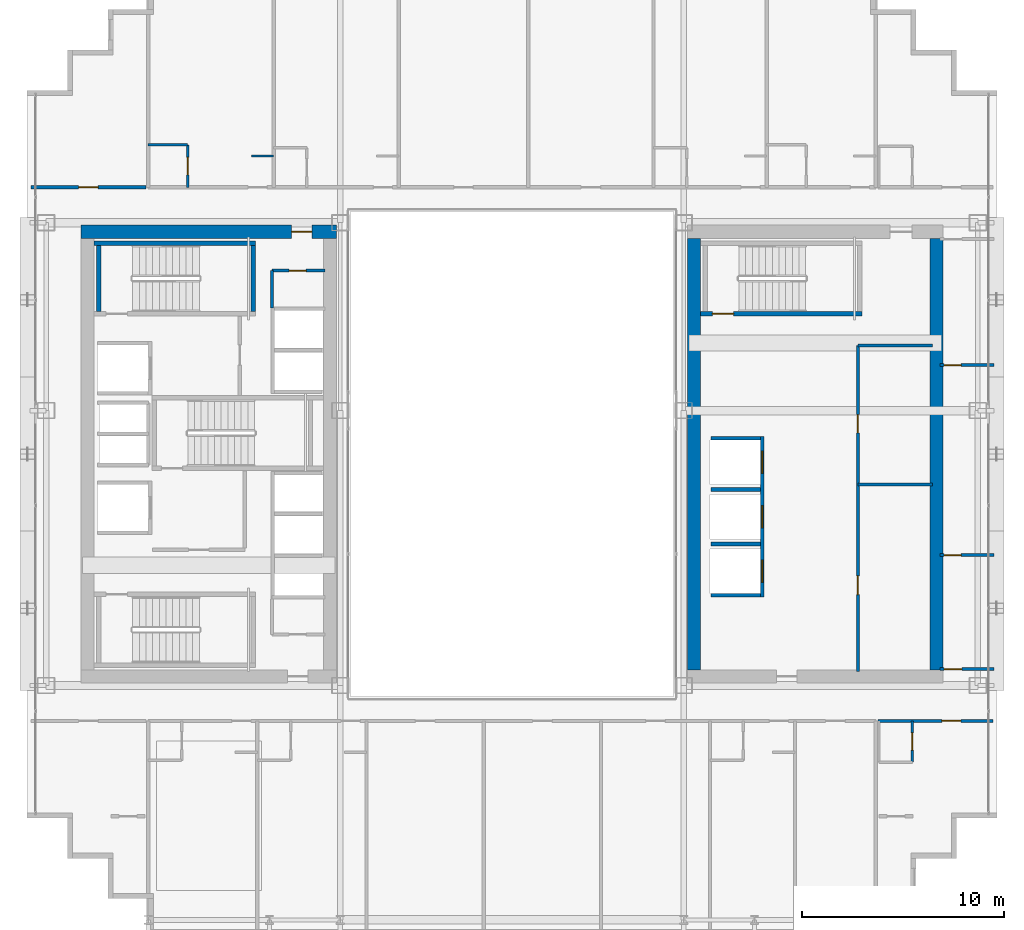
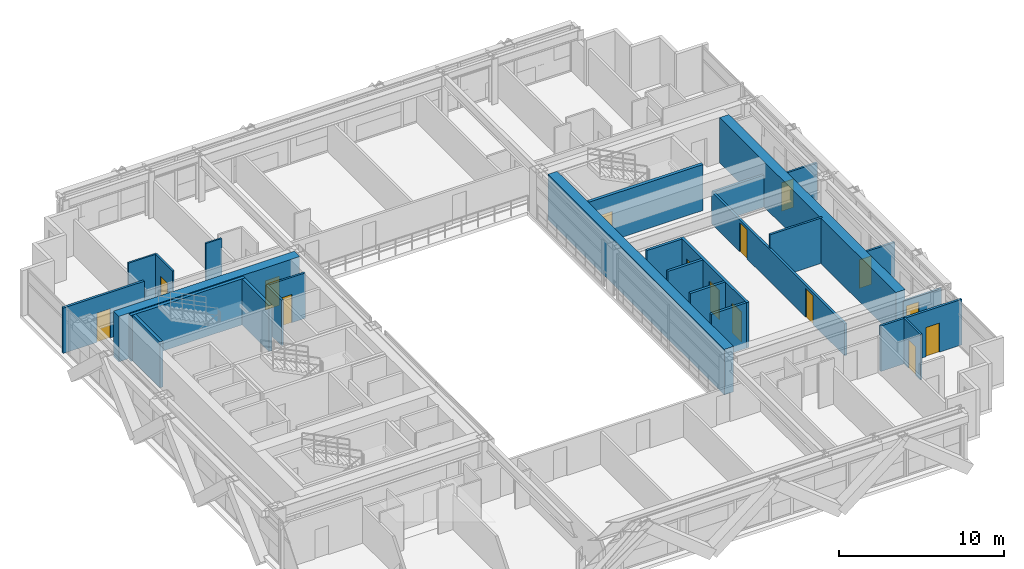
# One storey, part 33 of 39: 26 walls, 15 doors, 15 openings.
"""IFC4 building model written with IfcOpenShell, lengths in metres."""

import ifcopenshell
import ifcopenshell.guid

model = None  # the IFC model being written
_history = None  # IfcOwnerHistory: only IFC2X3 demands one
_inside = {}  # id of a spatial element -> (the spatial element, [elements in it])
_under = {}  # id of a project, library or spatial element -> (it, [spatial elements below it])
_declared = {}  # id of a project -> (the project, [libraries it declares])
_typed = {}  # id of a type object -> (the type object, [elements of that type])
_made_of = {}  # id of a material, layer set ... -> (it, [elements and type objects made of it])


def new_model(schema):
    """Start an empty IFC model of exactly this schema.

    Asked for "IFC4X3", IfcOpenShell would pick the latest addendum, in which some entities
    have other attributes; the version numbers below select the first issue.
    IFC2X3 requires an IfcOwnerHistory on every rooted entity: one is made here for all.
    """
    global model, _history
    if schema == "IFC4X3":
        model = ifcopenshell.file(schema_version=(4, 3, 0, 0))
    else:
        model = ifcopenshell.file(schema=schema)
    _inside.clear()
    _under.clear()
    _declared.clear()
    _typed.clear()
    _made_of.clear()
    _history = None
    if model.schema == "IFC2X3":
        org = make("IfcOrganization", Name="unknown")
        user = make(
            "IfcPersonAndOrganization",
            ThePerson=make("IfcPerson", FamilyName="unknown"),
            TheOrganization=org,
        )
        app = make(
            "IfcApplication",
            ApplicationDeveloper=org,
            Version="unknown",
            ApplicationFullName="unknown",
            ApplicationIdentifier="unknown",
        )
        _history = make(
            "IfcOwnerHistory",
            OwningUser=user,
            OwningApplication=app,
            ChangeAction="ADDED",
            CreationDate=0,
        )
    return model


def make(cls, **values):
    """One entity of the class cls with the attributes given. An attribute that is None is left unset."""
    return model.create_entity(
        cls, **{name: value for name, value in values.items() if value is not None}
    )


def rooted(cls, **values):
    """An entity with a GlobalId (a new one), such as an element, a storey or a relation."""
    return make(cls, GlobalId=ifcopenshell.guid.new(), OwnerHistory=_history, **values)


def si_unit(unit_type, name, prefix=None):
    """IfcSIUnit, for example si_unit("LENGTHUNIT", "METRE", prefix="MILLI")."""
    return make("IfcSIUnit", UnitType=unit_type, Prefix=prefix, Name=name)


def assignment(units):
    """IfcUnitAssignment: the units of a project."""
    return None if units is None else make("IfcUnitAssignment", Units=units)


def point(xyz):
    """IfcCartesianPoint."""
    return None if xyz is None else make("IfcCartesianPoint", Coordinates=xyz)


def direction(xyz):
    """IfcDirection."""
    return None if xyz is None else make("IfcDirection", DirectionRatios=xyz)


def frame(location, z_axis=None, x_axis=None):
    """IfcAxis2Placement3D, a coordinate frame: its origin and axes. An axis left out is left unset."""
    return make(
        "IfcAxis2Placement3D",
        Location=point(location),
        Axis=direction(z_axis),
        RefDirection=direction(x_axis),
    )


def frame_2d(location, x_axis=None):
    """IfcAxis2Placement2D, a coordinate frame in the plane: its origin and x axis."""
    return make(
        "IfcAxis2Placement2D", Location=point(location), RefDirection=direction(x_axis)
    )


def origin():
    """The frame at (0, 0, 0) with its axes left unset."""
    return frame((0.0, 0.0, 0.0))


def place(relative_to, where):
    """IfcLocalPlacement: puts the frame where relative to a parent placement (None: the world)."""
    return make(
        "IfcLocalPlacement", PlacementRelTo=relative_to, RelativePlacement=where
    )


def context(
    kind, dimensions, precision=None, world=None, true_north=None, identifier=None
):
    """IfcGeometricRepresentationContext, for example the 3D "Model" context."""
    return make(
        "IfcGeometricRepresentationContext",
        ContextIdentifier=identifier,
        ContextType=kind,
        CoordinateSpaceDimension=dimensions,
        Precision=precision,
        WorldCoordinateSystem=world,
        TrueNorth=true_north,
    )


def subcontext(parent, identifier, kind, view, scale=None):
    """IfcGeometricRepresentationSubContext, for example "Body" below "Model"."""
    return make(
        "IfcGeometricRepresentationSubContext",
        ContextIdentifier=identifier,
        ContextType=kind,
        ParentContext=parent,
        TargetScale=scale,
        TargetView=view,
    )


def project(units=None, contexts=None):
    """IfcProject with its units and contexts."""
    return rooted(
        "IfcProject",
        Name="project",
        RepresentationContexts=contexts,
        UnitsInContext=assignment(units),
    )


def spatial(cls, under=None, at=None, **own):
    """A site, building, storey or space (cls), placed at a placement, below another one or the project."""
    s = rooted(cls, ObjectPlacement=at, **own)
    if under is not None:
        _under.setdefault(under.id(), (under, []))[1].append(s)
    return s


def profile(cls, at=None, kind="AREA", **sizes):
    """A parametric profile (cls). Its sizes go by their IFC names, for example OverallWidth=200.0."""
    return make(cls, ProfileType=kind, Position=at, **sizes)


def rectangle(**sizes):
    """IfcRectangleProfileDef."""
    return profile("IfcRectangleProfileDef", **sizes)


def extrude(swept, where, along, depth):
    """IfcExtrudedAreaSolid: the profile swept, set in the frame where, extruded along a direction by depth."""
    return make(
        "IfcExtrudedAreaSolid",
        SweptArea=swept,
        Position=where,
        ExtrudedDirection=direction(along),
        Depth=depth,
    )


def shape(context_of_items, identifier, shape_type, items):
    """IfcShapeRepresentation: the items that make up one representation, for example the "Body"."""
    return make(
        "IfcShapeRepresentation",
        ContextOfItems=context_of_items,
        RepresentationIdentifier=identifier,
        RepresentationType=shape_type,
        Items=items,
    )


def source(mapping_origin, context_of_items, identifier, shape_type, items):
    """IfcRepresentationMap: a shape defined once, which mapped items show again and again."""
    return make(
        "IfcRepresentationMap",
        MappingOrigin=mapping_origin,
        MappedRepresentation=shape(context_of_items, identifier, shape_type, items),
    )


def transform(
    local_origin,
    x_axis=None,
    y_axis=None,
    z_axis=None,
    scale=None,
    scale2=None,
    scale3=None,
    uniform=True,
):
    """IfcCartesianTransformationOperator3D, or its non-uniform kind. x_axis, y_axis, z_axis: its Axis1, 2, 3."""
    if uniform:
        return make(
            "IfcCartesianTransformationOperator3D",
            Axis1=direction(x_axis),
            Axis2=direction(y_axis),
            LocalOrigin=point(local_origin),
            Scale=scale,
            Axis3=direction(z_axis),
        )
    return make(
        "IfcCartesianTransformationOperator3DnonUniform",
        Axis1=direction(x_axis),
        Axis2=direction(y_axis),
        LocalOrigin=point(local_origin),
        Scale=scale,
        Axis3=direction(z_axis),
        Scale2=scale2,
        Scale3=scale3,
    )


def mapped(mapping_source, mapping_target):
    """IfcMappedItem: shows the shape of a source again, moved by a transform."""
    return make(
        "IfcMappedItem", MappingSource=mapping_source, MappingTarget=mapping_target
    )


def material(Name=None, Category=None):
    """IfcMaterial."""
    return make("IfcMaterial", Name=Name, Category=Category)


def layer(
    of_material, thickness, ventilated=None, Name=None, Category=None, Priority=None
):
    """IfcMaterialLayer: one layer of a wall or slab, of a material (None: an air gap)."""
    return make(
        "IfcMaterialLayer",
        Material=of_material,
        LayerThickness=thickness,
        IsVentilated=ventilated,
        Name=Name,
        Category=Category,
        Priority=Priority,
    )


def layer_set(layers, Name=None):
    """IfcMaterialLayerSet."""
    return make("IfcMaterialLayerSet", MaterialLayers=layers, LayerSetName=Name)


def made_of(thing, what):
    """Note that an element or type object is made of a material, layer set ...; save() writes the relation."""
    if what is not None:
        _made_of.setdefault(what.id(), (what, []))[1].append(thing)
    return thing


def type_object(cls, material=None, **own):
    """A type object (cls), such as IfcWallType, which elements share."""
    return made_of(rooted(cls, **own), material)


def element(
    cls,
    number,
    at=None,
    inside=None,
    cuts=None,
    type_object=None,
    material=None,
    context=None,
    identifier="Body",
    shape_type=None,
    held_by="IfcProductDefinitionShape",
    body=None,
    shapes=None,
    **own,
):
    """One element of the class cls, such as IfcWall. Its Tag is "e" and its number.

    at: its placement. inside: the storey or other place that contains it. cuts: it is an
    opening in that element (IfcRelVoidsElement). A single representation is given by context,
    identifier, shape_type and body (its items); several are given by shapes. held_by: the class
    of the entity that holds the representations. save() writes the other relations.
    """
    e = rooted(cls, Tag="e%d" % number, ObjectPlacement=at, **own)
    if body is not None:
        shapes = [shape(context, identifier, shape_type, body)]
    if shapes is not None:
        e.Representation = make(held_by, Representations=shapes)
    if inside is not None:
        _inside.setdefault(inside.id(), (inside, []))[1].append(e)
    if cuts is not None:
        rooted(
            "IfcRelVoidsElement", RelatingBuildingElement=cuts, RelatedOpeningElement=e
        )
    if type_object is not None:
        _typed.setdefault(type_object.id(), (type_object, []))[1].append(e)
    return made_of(e, material)


def fill(opening, filler):
    """IfcRelFillsElement: the door or window that sits in an opening."""
    return rooted(
        "IfcRelFillsElement",
        RelatingOpeningElement=opening,
        RelatedBuildingElement=filler,
    )


def aggregate(whole, parts):
    """IfcRelAggregates: a whole, such as a stair, and the parts it consists of."""
    return rooted("IfcRelAggregates", RelatingObject=whole, RelatedObjects=parts)


def save(model, path):
    """Write the relations noted so far, then the file.

    IfcRelAggregates (storeys below a building ...), IfcRelContainedInSpatialStructure (elements
    in a storey), IfcRelDefinesByType, IfcRelAssociatesMaterial and IfcRelDeclares: one each for
    every whole, place, type object, material and project.
    """
    for whole, parts in _under.values():
        aggregate(whole, parts)
    for where, things in _inside.values():
        rooted(
            "IfcRelContainedInSpatialStructure",
            RelatedElements=things,
            RelatingStructure=where,
        )
    for kind, things in _typed.values():
        rooted("IfcRelDefinesByType", RelatedObjects=things, RelatingType=kind)
    for what, things in _made_of.values():
        rooted("IfcRelAssociatesMaterial", RelatedObjects=things, RelatingMaterial=what)
    for by, libraries in _declared.values():
        rooted("IfcRelDeclares", RelatingContext=by, RelatedDefinitions=libraries)
    model.write(path)


model = new_model("IFC4")

# Units and contexts
model_context = context("Model", 3, precision=1e-05, world=origin(), true_north=direction((0.0, 1.0)))
body_context = subcontext(model_context, "Body", "Model", "MODEL_VIEW")
ifc_project = project(units=[si_unit("LENGTHUNIT", "METRE"), si_unit("AREAUNIT", "SQUARE_METRE"), si_unit("VOLUMEUNIT", "CUBIC_METRE"), si_unit("PLANEANGLEUNIT", "RADIAN"), si_unit("MASSUNIT", "GRAM", prefix="KILO")], contexts=[model_context])

# Site, building, storey
site_placement = place(None, origin())
site = spatial("IfcSite", under=ifc_project, at=site_placement, CompositionType="ELEMENT")
building_placement = place(site_placement, origin())
building = spatial("IfcBuilding", under=site, at=building_placement, Name="Ocotamira Hotel", CompositionType="ELEMENT")
storey_placement = place(building_placement, frame((0.0, 0.0, 126.0)))
storey = spatial("IfcBuildingStorey", under=building, at=storey_placement, Name="L31", CompositionType="ELEMENT", Elevation=126.0)

# Wall, opening, door
ifc_material_1 = material(Name="Concrete C60/75", Category="concrete")
ifc_layer_1 = layer(ifc_material_1, 0.64990234375)
ifc_layer_set_1 = layer_set([ifc_layer_1], Name="Concrete C60/75")
wall_type_1 = type_object("IfcWallType", Name="WL-CORE-650", PredefinedType="SHEAR", material=ifc_layer_set_1)
wall_1_placement = place(storey_placement, frame((10.675048828125, 37.0, 0.0), z_axis=(0.0, 0.0, 1.0), x_axis=(1.0, 0.0, 0.0)))
wall_1 = element("IfcWall", 1, at=wall_1_placement, inside=storey, type_object=wall_type_1, Name="L31 Shear Core Wall WCORE-N", PredefinedType="SHEAR", context=body_context, shape_type="SweptSolid", body=[
    extrude(rectangle(XDim=12.64990234375, YDim=0.64990234375, at=frame_2d((6.324951171875, 0.0))), origin(), (0.0, 0.0, 1.0), 3.360107421875),
])
opening_1_placement = place(wall_1_placement, frame((10.425048828125, 0.0, 0.0)))
opening_1 = element("IfcOpeningElement", 2, at=opening_1_placement, cuts=wall_1, Name="Opening D-FR2", PredefinedType="OPENING", context=body_context, shape_type="SweptSolid", body=[
    extrude(rectangle(XDim=1.0, YDim=2.14990234375, at=frame_2d((0.5, 1.074951171875))), frame((0.0, 0.3349609375, 0.0), z_axis=(0.0, -1.0, 0.0), x_axis=(1.0, 0.0, 0.0)), (0.0, 0.0, 1.0), 0.669921875),
])
ifc_material_2 = material(Name="Fire-rated acoustic timber-veneer door", Category="wood")
door_type_1 = type_object("IfcDoorType", Name="DR-FIRE-1000", OperationType="NOTDEFINED", PredefinedType="DOOR", material=ifc_material_2)
shared_shape_1 = source(origin(), body_context, "Body", "SweptSolid", [
    extrude(rectangle(XDim=1.0, YDim=2.14990234375, at=frame_2d((0.5, 1.074951171875))), frame((0.0, 0.02490234375, 0.0), z_axis=(0.0, -1.0, 0.0), x_axis=(1.0, 0.0, 0.0)), (0.0, 0.0, 1.0), 0.050048828125),
])
door_1_placement = place(opening_1_placement, origin())
door_1 = element("IfcDoor", 3, at=door_1_placement, inside=storey, type_object=door_type_1, Name="L31 Door ID-L31-WLOB-N-D [ID-L31-WLOB-N-D]", OperationType="SINGLE_SWING_RIGHT", OverallHeight=2.14990234375, OverallWidth=1.0, PredefinedType="DOOR", context=body_context, shape_type="MappedRepresentation", body=[
    mapped(shared_shape_1, transform((0.0, 0.0, 0.0), scale=1.0)),
])
fill(opening_1, door_1)

# Walls
for number, where, z_axis, x_axis, name in (
    (4, (41.0, 15.324951171875, 0.0), (0.0, 0.0, 1.0), (0.0, 1.0, 0.0), "L31 Shear Core Wall ECORE-W"),
    (5, (53.0, 15.324951171875, 0.0), (0.0, 0.0, 1.0), (0.0, 1.0, 0.0), "L31 Shear Core Wall ECORE-E"),
):
    element("IfcWall", number, at=place(storey_placement, frame(where, z_axis=z_axis, x_axis=x_axis)), inside=storey, type_object=wall_type_1, Name=name, PredefinedType="SHEAR", context=body_context, shape_type="SweptSolid", body=[
        extrude(rectangle(XDim=21.35009765625, YDim=0.64990234375, at=frame_2d((10.675048828125, 0.0))), origin(), (0.0, 0.0, 1.0), 3.360107421875),
    ])
ifc_material_3 = material(Name="Acoustic double-layer fire gypsum board partition", Category="gypsum")
ifc_layer_2 = layer(ifc_material_3, 0.159912109375)
ifc_layer_set_2 = layer_set([ifc_layer_2], Name="Acoustic double-layer fire gypsum board partition")
wall_type_2 = type_object("IfcWallType", Name="WL-FIRE-160", PredefinedType="PARTITIONING", material=ifc_layer_set_2)
wall_2_placement = place(storey_placement, frame((49.1201171875, 31.3798828125, 0.0), z_axis=(0.0, 0.0, 1.0), x_axis=(1.0, 0.0, 0.0)))
element("IfcWall", 6, at=wall_2_placement, inside=storey, type_object=wall_type_2, Name="L31 Interior Wall PW-L31-EC-FLOW-N", PredefinedType="PARTITIONING", context=body_context, shape_type="SweptSolid", body=[
    extrude(rectangle(XDim=3.679931640625, YDim=0.159912109375, at=frame_2d((1.83984375, 0.0))), origin(), (0.0, 0.0, 1.0), 2.360107421875),
])

# Wall, openings, doors
wall_3_placement = place(storey_placement, frame((49.1201171875, 15.25, 0.0), z_axis=(0.0, 0.0, 1.0), x_axis=(0.0, 1.0, 0.0)))
wall_3 = element("IfcWall", 7, at=wall_3_placement, inside=storey, type_object=wall_type_2, Name="L31 Interior Wall PW-L31-EC-FLOW-W", PredefinedType="PARTITIONING", context=body_context, shape_type="SweptSolid", body=[
    extrude(rectangle(XDim=16.1298828125, YDim=0.159912109375, at=frame_2d((8.06494140625, 0.0))), origin(), (0.0, 0.0, 1.0), 2.360107421875),
])
opening_2_placement = place(wall_3_placement, frame((3.800048828125, 0.0, 0.0)))
opening_2 = element("IfcOpeningElement", 8, at=opening_2_placement, cuts=wall_3, Name="Opening D-SV3", PredefinedType="OPENING", context=body_context, shape_type="SweptSolid", body=[
    extrude(rectangle(XDim=0.919921875, YDim=2.14990234375, at=frame_2d((0.4599609375, 1.074951171875))), frame((0.0, 0.08984375, 0.0), z_axis=(0.0, -1.0, 0.0), x_axis=(1.0, 0.0, 0.0)), (0.0, 0.0, 1.0), 0.179931640625),
])
opening_3_placement = place(wall_3_placement, frame((11.800048828125, 0.0, 0.0)))
opening_3 = element("IfcOpeningElement", 9, at=opening_3_placement, cuts=wall_3, Name="Opening D-IN3", PredefinedType="OPENING", context=body_context, shape_type="SweptSolid", body=[
    extrude(rectangle(XDim=0.89990234375, YDim=2.14990234375, at=frame_2d((0.449951171875, 1.074951171875))), frame((0.0, 0.08984375, 0.0), z_axis=(0.0, -1.0, 0.0), x_axis=(1.0, 0.0, 0.0)), (0.0, 0.0, 1.0), 0.179931640625),
])
ifc_material_4 = material(Name="Painted service room door", Category="steel")
door_type_2 = type_object("IfcDoorType", Name="DR-INT-900", OperationType="NOTDEFINED", PredefinedType="DOOR", material=ifc_material_4)
shared_shape_2 = source(origin(), body_context, "Body", "SweptSolid", [
    extrude(rectangle(XDim=0.89990234375, YDim=2.14990234375, at=frame_2d((0.449951171875, 1.074951171875))), frame((0.0, 0.02490234375, 0.0), z_axis=(0.0, -1.0, 0.0), x_axis=(1.0, 0.0, 0.0)), (0.0, 0.0, 1.0), 0.050048828125),
])
door_2_placement = place(opening_3_placement, origin())
door_2 = element("IfcDoor", 10, at=door_2_placement, inside=storey, type_object=door_type_2, Name="L31 Door ID-L31-EC-FLOW-DB [ID-L31-EC-FLOW-DB]", OperationType="SINGLE_SWING_RIGHT", OverallHeight=2.14990234375, OverallWidth=0.89990234375, PredefinedType="DOOR", context=body_context, shape_type="MappedRepresentation", body=[
    mapped(shared_shape_2, transform((0.0, 0.0, 0.0), scale=1.0)),
])
fill(opening_3, door_2)
ifc_material_5 = material(Name="Fire-rated walnut hospitality door", Category="wood")
door_type_3 = type_object("IfcDoorType", Name="DR-SERV-920", OperationType="NOTDEFINED", PredefinedType="DOOR", material=ifc_material_5)
shared_shape_3 = source(origin(), body_context, "Body", "SweptSolid", [
    extrude(rectangle(XDim=0.919921875, YDim=2.14990234375, at=frame_2d((0.4599609375, 1.074951171875))), frame((0.0, 0.02490234375, 0.0), z_axis=(0.0, -1.0, 0.0), x_axis=(1.0, 0.0, 0.0)), (0.0, 0.0, 1.0), 0.050048828125),
])
door_3_placement = place(opening_2_placement, origin())
door_3 = element("IfcDoor", 11, at=door_3_placement, inside=storey, type_object=door_type_3, Name="L31 Door ID-L31-EC-FLOW-DA [ID-L31-EC-FLOW-DA]", OperationType="SINGLE_SWING_LEFT", OverallHeight=2.14990234375, OverallWidth=0.919921875, PredefinedType="DOOR", context=body_context, shape_type="MappedRepresentation", body=[
    mapped(shared_shape_3, transform((0.0, 0.0, 0.0), scale=1.0)),
])
fill(opening_2, door_3)

# Wall, opening, door
wall_4_placement = place(storey_placement, frame((50.1201171875, 12.800048828125, 0.0), z_axis=(0.0, 0.0, 1.0), x_axis=(1.0, 0.0, 0.0)))
wall_4 = element("IfcWall", 12, at=wall_4_placement, inside=storey, type_object=wall_type_2, Name="L31 Interior Wall PW-L31-Z2C-CSE-CW", PredefinedType="PARTITIONING", context=body_context, shape_type="SweptSolid", body=[
    extrude(rectangle(XDim=5.679931640625, YDim=0.159912109375, at=frame_2d((2.83984375, 0.0))), origin(), (0.0, 0.0, 1.0), 3.360107421875),
])
opening_4_placement = place(wall_4_placement, frame((3.14990234375, 0.0, 0.0)))
opening_4 = element("IfcOpeningElement", 13, at=opening_4_placement, cuts=wall_4, Name="Opening D-GR1", PredefinedType="OPENING", context=body_context, shape_type="SweptSolid", body=[
    extrude(rectangle(XDim=0.93994140625, YDim=2.14990234375, at=frame_2d((0.469970703125, 1.074951171875))), frame((0.0, 0.08984375, 0.0), z_axis=(0.0, -1.0, 0.0), x_axis=(1.0, 0.0, 0.0)), (0.0, 0.0, 1.0), 0.179931640625),
])
ifc_material_6 = material(Name="Solid-core walnut suite entrance fire door", Category="wood")
door_type_4 = type_object("IfcDoorType", Name="DR-GUEST-940", OperationType="NOTDEFINED", PredefinedType="DOOR", material=ifc_material_6)
shared_shape_4 = source(origin(), body_context, "Body", "SweptSolid", [
    extrude(rectangle(XDim=0.93994140625, YDim=2.14990234375, at=frame_2d((0.469970703125, 1.074951171875))), frame((0.0, 0.02490234375, 0.0), z_axis=(0.0, -1.0, 0.0), x_axis=(1.0, 0.0, 0.0)), (0.0, 0.0, 1.0), 0.050048828125),
])
door_4_placement = place(opening_4_placement, origin())
door_4 = element("IfcDoor", 14, at=door_4_placement, inside=storey, type_object=door_type_4, Name="L31 Door ID-L31-Z2C-CSE-CD [ID-L31-Z2C-CSE-CD]", OperationType="SINGLE_SWING_RIGHT", OverallHeight=2.14990234375, OverallWidth=0.93994140625, PredefinedType="DOOR", context=body_context, shape_type="MappedRepresentation", body=[
    mapped(shared_shape_4, transform((0.0, 0.0, 0.0), scale=1.0)),
])
fill(opening_4, door_4)

wall_5_placement = place(storey_placement, frame((8.199951171875, 39.199951171875, 0.0), z_axis=(0.0, 0.0, 1.0), x_axis=(1.0, 0.0, 0.0)))
wall_5 = element("IfcWall", 15, at=wall_5_placement, inside=storey, type_object=wall_type_2, Name="L31 Interior Wall PW-L31-Z2C-CNW-CW", PredefinedType="PARTITIONING", context=body_context, shape_type="SweptSolid", body=[
    extrude(rectangle(XDim=5.679931640625, YDim=0.159912109375, at=frame_2d((2.83984375, 0.0))), origin(), (0.0, 0.0, 1.0), 3.360107421875),
])
opening_5_placement = place(wall_5_placement, frame((2.360107421875, 0.0, 0.0)))
opening_5 = element("IfcOpeningElement", 16, at=opening_5_placement, cuts=wall_5, Name="Opening D-SV4", PredefinedType="OPENING", context=body_context, shape_type="SweptSolid", body=[
    extrude(rectangle(XDim=0.9599609375, YDim=2.14990234375, at=frame_2d((0.47998046875, 1.074951171875))), frame((0.0, 0.08984375, 0.0), z_axis=(0.0, -1.0, 0.0), x_axis=(1.0, 0.0, 0.0)), (0.0, 0.0, 1.0), 0.179931640625),
])
ifc_material_7 = material(Name="Fire-rated accessible walnut salon door", Category="wood")
door_type_5 = type_object("IfcDoorType", Name="DR-SERV-960", OperationType="NOTDEFINED", PredefinedType="DOOR", material=ifc_material_7)
shared_shape_5 = source(origin(), body_context, "Body", "SweptSolid", [
    extrude(rectangle(XDim=0.9599609375, YDim=2.14990234375, at=frame_2d((0.47998046875, 1.074951171875))), frame((0.0, 0.02490234375, 0.0), z_axis=(0.0, -1.0, 0.0), x_axis=(1.0, 0.0, 0.0)), (0.0, 0.0, 1.0), 0.050048828125),
])
door_5_placement = place(opening_5_placement, origin())
door_5 = element("IfcDoor", 17, at=door_5_placement, inside=storey, type_object=door_type_5, Name="L31 Door ID-L31-Z2C-CNW-CD [ID-L31-Z2C-CNW-CD]", OperationType="SINGLE_SWING_LEFT", OverallHeight=2.14990234375, OverallWidth=0.9599609375, PredefinedType="DOOR", context=body_context, shape_type="MappedRepresentation", body=[
    mapped(shared_shape_5, transform((0.0, 0.0, 0.0), scale=1.0)),
])
fill(opening_5, door_5)

ifc_material_8 = material(Name="Moisture-resistant en-suite tile and gypsum partition", Category="gypsum")
ifc_layer_3 = layer(ifc_material_8, 0.1201171875)
ifc_layer_set_3 = layer_set([ifc_layer_3], Name="Moisture-resistant en-suite tile and gypsum partition")
wall_type_3 = type_object("IfcWallType", Name="WL-PART-120", PredefinedType="PARTITIONING", material=ifc_layer_set_3)
wall_6_placement = place(storey_placement, frame((51.81005859375, 10.760009765625, 0.0), z_axis=(0.0, 0.0, 1.0), x_axis=(0.0, 1.0, 0.0)))
wall_6 = element("IfcWall", 18, at=wall_6_placement, inside=storey, type_object=wall_type_3, Name="L31 Interior Wall PW-L31-Z2C-CSE-BE", PredefinedType="PARTITIONING", context=body_context, shape_type="SweptSolid", body=[
    extrude(rectangle(XDim=2.0400390625, YDim=0.1201171875, at=frame_2d((1.02001953125, 0.0))), origin(), (0.0, 0.0, 1.0), 3.360107421875),
])
opening_6_placement = place(wall_6_placement, frame((0.590087890625, 0.0, 0.0)))
opening_6 = element("IfcOpeningElement", 19, at=opening_6_placement, cuts=wall_6, Name="Opening D-BA1", PredefinedType="OPENING", context=body_context, shape_type="SweptSolid", body=[
    extrude(rectangle(XDim=0.860107421875, YDim=2.10009765625, at=frame_2d((0.43017578125, 1.050048828125))), frame((0.0, 0.070068359375, 0.0), z_axis=(0.0, -1.0, 0.0), x_axis=(1.0, 0.0, 0.0)), (0.0, 0.0, 1.0), 0.14013671875),
])
ifc_material_9 = material(Name="Moisture-sealed en-suite timber door", Category="wood")
door_type_6 = type_object("IfcDoorType", Name="DR-BATH-860", OperationType="NOTDEFINED", PredefinedType="DOOR", material=ifc_material_9)
shared_shape_6 = source(origin(), body_context, "Body", "SweptSolid", [
    extrude(rectangle(XDim=0.860107421875, YDim=2.10009765625, at=frame_2d((0.43017578125, 1.050048828125))), frame((0.0, 0.02490234375, 0.0), z_axis=(0.0, -1.0, 0.0), x_axis=(1.0, 0.0, 0.0)), (0.0, 0.0, 1.0), 0.050048828125),
])
door_6_placement = place(opening_6_placement, origin())
door_6 = element("IfcDoor", 20, at=door_6_placement, inside=storey, type_object=door_type_6, Name="L31 Door ID-L31-Z2C-CSE-BD [ID-L31-Z2C-CSE-BD]", OperationType="SINGLE_SWING_LEFT", OverallHeight=2.10009765625, OverallWidth=0.860107421875, PredefinedType="DOOR", context=body_context, shape_type="MappedRepresentation", body=[
    mapped(shared_shape_6, transform((0.0, 0.0, 0.0), scale=1.0)),
])
fill(opening_6, door_6)

wall_7_placement = place(storey_placement, frame((15.949951171875, 39.199951171875, 0.0), z_axis=(0.0, 0.0, 1.0), x_axis=(0.0, 1.0, 0.0)))
wall_7 = element("IfcWall", 21, at=wall_7_placement, inside=storey, type_object=wall_type_3, Name="L31 Interior Wall PW-L31-Z2CN-BAE1", PredefinedType="PARTITIONING", context=body_context, shape_type="SweptSolid", body=[
    extrude(rectangle(XDim=2.10009765625, YDim=0.1201171875, at=frame_2d((1.050048828125, 0.0))), origin(), (0.0, 0.0, 1.0), 3.360107421875),
])
opening_7_placement = place(wall_7_placement, frame((0.6201171875, 0.0, 0.0)))
opening_7 = element("IfcOpeningElement", 22, at=opening_7_placement, cuts=wall_7, Name="Opening D-BA1", PredefinedType="OPENING", context=body_context, shape_type="SweptSolid", body=[
    extrude(rectangle(XDim=0.860107421875, YDim=2.10009765625, at=frame_2d((0.43017578125, 1.050048828125))), frame((0.0, 0.070068359375, 0.0), z_axis=(0.0, -1.0, 0.0), x_axis=(1.0, 0.0, 0.0)), (0.0, 0.0, 1.0), 0.14013671875),
])
door_7_placement = place(opening_7_placement, origin())
door_7 = element("IfcDoor", 23, at=door_7_placement, inside=storey, type_object=door_type_6, Name="L31 Door ID-L31-Z2CN-BAD1 [ID-L31-Z2CN-BAD1]", OperationType="SINGLE_SWING_RIGHT", OverallHeight=2.10009765625, OverallWidth=0.860107421875, PredefinedType="DOOR", context=body_context, shape_type="MappedRepresentation", body=[
    mapped(shared_shape_6, transform((0.0, 0.0, 0.0), scale=1.0)),
])
fill(opening_7, door_7)

# Walls
wall_8_placement = place(storey_placement, frame((14.0, 41.300048828125, 0.0), z_axis=(0.0, 0.0, 1.0), x_axis=(1.0, 0.0, 0.0)))
element("IfcWall", 24, at=wall_8_placement, inside=storey, type_object=wall_type_3, Name="L31 Interior Wall PW-L31-Z2CN-BAN1", PredefinedType="PARTITIONING", context=body_context, shape_type="SweptSolid", body=[
    extrude(rectangle(XDim=1.949951171875, YDim=0.1201171875, at=frame_2d((0.97509765625, 0.0))), origin(), (0.0, 0.0, 1.0), 3.360107421875),
])
wall_9_placement = place(storey_placement, frame((19.10009765625, 40.75, 0.0), z_axis=(0.0, 0.0, 1.0), x_axis=(1.0, 0.0, 0.0)))
element("IfcWall", 25, at=wall_9_placement, inside=storey, type_object=wall_type_3, Name="L31 Interior Wall PW-L31-Z2CN-DRN1", PredefinedType="PARTITIONING", context=body_context, shape_type="SweptSolid", body=[
    extrude(rectangle(XDim=1.099853515625, YDim=0.1201171875, at=frame_2d((0.5498046875, 0.0))), origin(), (0.0, 0.0, 1.0), 3.360107421875),
])
ifc_material_10 = material(Name="Acoustic hospitality gypsum board partition", Category="gypsum")
ifc_layer_4 = layer(ifc_material_10, 0.14208984375)
ifc_layer_set_4 = layer_set([ifc_layer_4], Name="Acoustic hospitality gypsum board partition")
wall_type_4 = type_object("IfcWallType", Name="WL-PART-142", PredefinedType="PARTITIONING", material=ifc_layer_set_4)
wall_10_placement = place(storey_placement, frame((20.1201171875, 33.219970703125, 0.0), z_axis=(0.0, 0.0, 1.0), x_axis=(0.0, 1.0, 0.0)))
element("IfcWall", 26, at=wall_10_placement, inside=storey, type_object=wall_type_4, Name="L31 Interior Wall PW-L31-WC-NE-W2", PredefinedType="PARTITIONING", context=body_context, shape_type="SweptSolid", body=[
    extrude(rectangle(XDim=1.860107421875, YDim=0.14208984375, at=frame_2d((0.93017578125, 0.0))), origin(), (0.0, 0.0, 1.0), 3.360107421875),
])

# Wall, opening, door
wall_11_placement = place(storey_placement, frame((20.1201171875, 35.080078125, 0.0), z_axis=(0.0, 0.0, 1.0), x_axis=(1.0, 0.0, 0.0)))
wall_11 = element("IfcWall", 27, at=wall_11_placement, inside=storey, type_object=wall_type_4, Name="L31 Interior Wall PW-L31-WC-NE-N2", PredefinedType="PARTITIONING", context=body_context, shape_type="SweptSolid", body=[
    extrude(rectangle(XDim=2.6298828125, YDim=0.14208984375, at=frame_2d((1.31494140625, 0.0))), origin(), (0.0, 0.0, 1.0), 3.360107421875),
])
opening_8_placement = place(wall_11_placement, frame((0.85009765625, 0.0, 0.0)))
opening_8 = element("IfcOpeningElement", 28, at=opening_8_placement, cuts=wall_11, Name="Opening D-SV1", PredefinedType="OPENING", context=body_context, shape_type="SweptSolid", body=[
    extrude(rectangle(XDim=0.840087890625, YDim=2.10009765625, at=frame_2d((0.419921875, 1.050048828125))), frame((0.0, 0.0810546875, 0.0), z_axis=(0.0, -1.0, 0.0), x_axis=(1.0, 0.0, 0.0)), (0.0, 0.0, 1.0), 0.162109375),
])
ifc_material_11 = material(Name="Fire-rated painted steel service door", Category="steel")
door_type_7 = type_object("IfcDoorType", Name="DR-SERV-840", OperationType="NOTDEFINED", PredefinedType="DOOR", material=ifc_material_11)
shared_shape_7 = source(origin(), body_context, "Body", "SweptSolid", [
    extrude(rectangle(XDim=0.840087890625, YDim=2.10009765625, at=frame_2d((0.419921875, 1.050048828125))), frame((0.0, 0.02490234375, 0.0), z_axis=(0.0, -1.0, 0.0), x_axis=(1.0, 0.0, 0.0)), (0.0, 0.0, 1.0), 0.050048828125),
])
door_8_placement = place(opening_8_placement, origin())
door_8 = element("IfcDoor", 29, at=door_8_placement, inside=storey, type_object=door_type_7, Name="L31 Door ID-L31-WC-NE-D2 [ID-L31-WC-NE-D2]", OperationType="SINGLE_SWING_RIGHT", OverallHeight=2.10009765625, OverallWidth=0.840087890625, PredefinedType="DOOR", context=body_context, shape_type="MappedRepresentation", body=[
    mapped(shared_shape_7, transform((0.0, 0.0, 0.0), scale=1.0)),
])
fill(opening_8, door_8)

wall_12_placement = place(storey_placement, frame((53.179931640625, 21.0, 0.0), z_axis=(0.0, 0.0, 1.0), x_axis=(1.0, 0.0, 0.0)))
wall_12 = element("IfcWall", 30, at=wall_12_placement, inside=storey, type_object=wall_type_4, Name="L31 Interior Wall PW-L31-Z2C-EF-DV1", PredefinedType="PARTITIONING", context=body_context, shape_type="SweptSolid", body=[
    extrude(rectangle(XDim=2.66015625, YDim=0.14208984375, at=frame_2d((1.330078125, 0.0))), origin(), (0.0, 0.0, 1.0), 2.5810546875),
])
opening_9_placement = place(wall_12_placement, frame((0.199951171875, 0.0, 0.0)))
opening_9 = element("IfcOpeningElement", 31, at=opening_9_placement, cuts=wall_12, Name="Opening D-SV1", PredefinedType="OPENING", context=body_context, shape_type="SweptSolid", body=[
    extrude(rectangle(XDim=0.840087890625, YDim=2.10009765625, at=frame_2d((0.419921875, 1.050048828125))), frame((0.0, 0.0810546875, 0.0), z_axis=(0.0, -1.0, 0.0), x_axis=(1.0, 0.0, 0.0)), (0.0, 0.0, 1.0), 0.162109375),
])
door_9_placement = place(opening_9_placement, origin())
door_9 = element("IfcDoor", 32, at=door_9_placement, inside=storey, type_object=door_type_7, Name="L31 Door ID-L31-Z2C-EF-DV1D [ID-L31-Z2C-EF-DV1D]", OperationType="SINGLE_SWING_LEFT", OverallHeight=2.10009765625, OverallWidth=0.840087890625, PredefinedType="DOOR", context=body_context, shape_type="MappedRepresentation", body=[
    mapped(shared_shape_7, transform((0.0, 0.0, 0.0), scale=1.0)),
])
fill(opening_9, door_9)

wall_13_placement = place(storey_placement, frame((53.179931640625, 30.39990234375, 0.0), z_axis=(0.0, 0.0, 1.0), x_axis=(1.0, 0.0, 0.0)))
wall_13 = element("IfcWall", 33, at=wall_13_placement, inside=storey, type_object=wall_type_4, Name="L31 Interior Wall PW-L31-Z2C-EF-DV2", PredefinedType="PARTITIONING", context=body_context, shape_type="SweptSolid", body=[
    extrude(rectangle(XDim=2.66015625, YDim=0.14208984375, at=frame_2d((1.330078125, 0.0))), origin(), (0.0, 0.0, 1.0), 2.742919921875),
])
opening_10_placement = place(wall_13_placement, frame((0.199951171875, 0.0, 0.0)))
opening_10 = element("IfcOpeningElement", 34, at=opening_10_placement, cuts=wall_13, Name="Opening D-SV1", PredefinedType="OPENING", context=body_context, shape_type="SweptSolid", body=[
    extrude(rectangle(XDim=0.840087890625, YDim=2.10009765625, at=frame_2d((0.419921875, 1.050048828125))), frame((0.0, 0.0810546875, 0.0), z_axis=(0.0, -1.0, 0.0), x_axis=(1.0, 0.0, 0.0)), (0.0, 0.0, 1.0), 0.162109375),
])
door_10_placement = place(opening_10_placement, origin())
door_10 = element("IfcDoor", 35, at=door_10_placement, inside=storey, type_object=door_type_7, Name="L31 Door ID-L31-Z2C-EF-DV2D [ID-L31-Z2C-EF-DV2D]", OperationType="SINGLE_SWING_RIGHT", OverallHeight=2.10009765625, OverallWidth=0.840087890625, PredefinedType="DOOR", context=body_context, shape_type="MappedRepresentation", body=[
    mapped(shared_shape_7, transform((0.0, 0.0, 0.0), scale=1.0)),
])
fill(opening_10, door_10)

# Wall
ifc_layer_5 = layer(ifc_material_10, 0.14990234375)
ifc_layer_set_5 = layer_set([ifc_layer_5], Name="Acoustic hospitality gypsum board partition")
wall_type_5 = type_object("IfcWallType", Name="WL-PART-150", PredefinedType="PARTITIONING", material=ifc_layer_set_5)
wall_14_placement = place(storey_placement, frame((49.1201171875, 24.489990234375, 0.0), z_axis=(0.0, 0.0, 1.0), x_axis=(1.0, 0.0, 0.0)))
element("IfcWall", 36, at=wall_14_placement, inside=storey, type_object=wall_type_5, Name="L31 Interior Wall PW-L31-EC-FDIVA", PredefinedType="PARTITIONING", context=body_context, shape_type="SweptSolid", body=[
    extrude(rectangle(XDim=3.679931640625, YDim=0.14990234375, at=frame_2d((1.83984375, 0.0))), origin(), (0.0, 0.0, 1.0), 3.360107421875),
])

# Wall, opening, door
wall_15_placement = place(storey_placement, frame((53.179931640625, 15.360107421875, 0.0), z_axis=(0.0, 0.0, 1.0), x_axis=(1.0, 0.0, 0.0)))
wall_15 = element("IfcWall", 37, at=wall_15_placement, inside=storey, type_object=wall_type_5, Name="L31 Interior Wall PW-L31-Z2C-EF-WS", PredefinedType="PARTITIONING", context=body_context, shape_type="SweptSolid", body=[
    extrude(rectangle(XDim=2.66015625, YDim=0.14990234375, at=frame_2d((1.330078125, 0.0))), origin(), (0.0, 0.0, 1.0), 2.5810546875),
])
opening_11_placement = place(wall_15_placement, frame((0.199951171875, 0.0, 0.0)))
opening_11 = element("IfcOpeningElement", 38, at=opening_11_placement, cuts=wall_15, Name="Opening D-SV2", PredefinedType="OPENING", context=body_context, shape_type="SweptSolid", body=[
    extrude(rectangle(XDim=0.8798828125, YDim=2.14990234375, at=frame_2d((0.43994140625, 1.074951171875))), frame((0.0, 0.0849609375, 0.0), z_axis=(0.0, -1.0, 0.0), x_axis=(1.0, 0.0, 0.0)), (0.0, 0.0, 1.0), 0.169921875),
])
door_type_8 = type_object("IfcDoorType", Name="DR-SERV-880", OperationType="NOTDEFINED", PredefinedType="DOOR", material=ifc_material_11)
shared_shape_8 = source(origin(), body_context, "Body", "SweptSolid", [
    extrude(rectangle(XDim=0.8798828125, YDim=2.14990234375, at=frame_2d((0.43994140625, 1.074951171875))), frame((0.0, 0.02490234375, 0.0), z_axis=(0.0, -1.0, 0.0), x_axis=(1.0, 0.0, 0.0)), (0.0, 0.0, 1.0), 0.050048828125),
])
door_11_placement = place(opening_11_placement, origin())
door_11 = element("IfcDoor", 39, at=door_11_placement, inside=storey, type_object=door_type_8, Name="L31 Door ID-L31-Z2C-EF-DS [ID-L31-Z2C-EF-DS]", OperationType="SINGLE_SWING_RIGHT", OverallHeight=2.14990234375, OverallWidth=0.8798828125, PredefinedType="DOOR", context=body_context, shape_type="MappedRepresentation", body=[
    mapped(shared_shape_8, transform((0.0, 0.0, 0.0), scale=1.0)),
])
fill(opening_11, door_11)

# Wall, openings, doors
ifc_material_12 = material(Name="Fire-rated gypsum shaftliner board assembly", Category="gypsum")
ifc_layer_6 = layer(ifc_material_12, 0.179931640625)
ifc_layer_set_6 = layer_set([ifc_layer_6], Name="Fire-rated gypsum shaftliner board assembly")
wall_type_6 = type_object("IfcWallType", Name="WL-SHAFT-180", PredefinedType="SOLIDWALL", material=ifc_layer_set_6)
wall_16_placement = place(storey_placement, frame((44.389892578125, 18.919921875, 0.0), z_axis=(0.0, 0.0, 1.0), x_axis=(0.0, 1.0, 0.0)))
wall_16 = element("IfcWall", 40, at=wall_16_placement, inside=storey, type_object=wall_type_6, Name="L31 Interior Wall PW-L31-LFW-BANK-mid-F", PredefinedType="SOLIDWALL", context=body_context, shape_type="SweptSolid", body=[
    extrude(rectangle(XDim=7.9599609375, YDim=0.179931640625, at=frame_2d((3.97998046875, 0.0))), origin(), (0.0, 0.0, 1.0), 3.360107421875),
])
opening_12_placement = place(wall_16_placement, frame((0.72998046875, 0.0, 0.0)))
opening_12 = element("IfcOpeningElement", 41, at=opening_12_placement, cuts=wall_16, Name="Opening LD-LF-P4", PredefinedType="OPENING", context=body_context, shape_type="SweptSolid", body=[
    extrude(rectangle(XDim=1.10009765625, YDim=2.199951171875, at=frame_2d((0.550048828125, 1.10009765625))), frame((0.0, 0.10009765625, 0.0), z_axis=(0.0, -1.0, 0.0), x_axis=(1.0, 0.0, 0.0)), (0.0, 0.0, 1.0), 0.199951171875),
])
opening_13_placement = place(wall_16_placement, frame((3.429931640625, 0.0, 0.0)))
opening_13 = element("IfcOpeningElement", 42, at=opening_13_placement, cuts=wall_16, Name="Opening LD-LF-P5", PredefinedType="OPENING", context=body_context, shape_type="SweptSolid", body=[
    extrude(rectangle(XDim=1.10009765625, YDim=2.199951171875, at=frame_2d((0.550048828125, 1.10009765625))), frame((0.0, 0.10009765625, 0.0), z_axis=(0.0, -1.0, 0.0), x_axis=(1.0, 0.0, 0.0)), (0.0, 0.0, 1.0), 0.199951171875),
])
opening_14_placement = place(wall_16_placement, frame((6.1298828125, 0.0, 0.0)))
opening_14 = element("IfcOpeningElement", 43, at=opening_14_placement, cuts=wall_16, Name="Opening LD-LF-P6", PredefinedType="OPENING", context=body_context, shape_type="SweptSolid", body=[
    extrude(rectangle(XDim=1.10009765625, YDim=2.199951171875, at=frame_2d((0.550048828125, 1.10009765625))), frame((0.0, 0.10009765625, 0.0), z_axis=(0.0, -1.0, 0.0), x_axis=(1.0, 0.0, 0.0)), (0.0, 0.0, 1.0), 0.199951171875),
])
ifc_material_13 = material(Name="Brushed pale-metal stainless elevator landing door", Category="steel")
door_type_9 = type_object("IfcDoorType", Name="DR-LIFT-1100", OperationType="NOTDEFINED", PredefinedType="DOOR", material=ifc_material_13)
shared_shape_9 = source(origin(), body_context, "Body", "SweptSolid", [
    extrude(rectangle(XDim=1.10009765625, YDim=2.199951171875, at=frame_2d((0.550048828125, 1.10009765625))), frame((0.0, 0.02490234375, 0.0), z_axis=(0.0, -1.0, 0.0), x_axis=(1.0, 0.0, 0.0)), (0.0, 0.0, 1.0), 0.050048828125),
])
door_12_placement = place(opening_12_placement, origin())
door_12 = element("IfcDoor", 44, at=door_12_placement, inside=storey, type_object=door_type_9, Name="L31 Landing Door LD-LF-P4 [ID-L31-LD-LF-P4]", OperationType="DOUBLE_DOOR_SLIDING", OverallHeight=2.199951171875, OverallWidth=1.10009765625, PredefinedType="DOOR", context=body_context, shape_type="MappedRepresentation", body=[
    mapped(shared_shape_9, transform((0.0, 0.0, 0.0), scale=1.0)),
])
fill(opening_12, door_12)
door_13_placement = place(opening_13_placement, origin())
door_13 = element("IfcDoor", 45, at=door_13_placement, inside=storey, type_object=door_type_9, Name="L31 Landing Door LD-LF-P5 [ID-L31-LD-LF-P5]", OperationType="DOUBLE_DOOR_SLIDING", OverallHeight=2.199951171875, OverallWidth=1.10009765625, PredefinedType="DOOR", context=body_context, shape_type="MappedRepresentation", body=[
    mapped(shared_shape_9, transform((0.0, 0.0, 0.0), scale=1.0)),
])
fill(opening_13, door_13)
door_14_placement = place(opening_14_placement, origin())
door_14 = element("IfcDoor", 46, at=door_14_placement, inside=storey, type_object=door_type_9, Name="L31 Landing Door LD-LF-P6 [ID-L31-LD-LF-P6]", OperationType="DOUBLE_DOOR_SLIDING", OverallHeight=2.199951171875, OverallWidth=1.10009765625, PredefinedType="DOOR", context=body_context, shape_type="MappedRepresentation", body=[
    mapped(shared_shape_9, transform((0.0, 0.0, 0.0), scale=1.0)),
])
fill(opening_14, door_14)

# Walls
for number, where, z_axis, x_axis, name in (
    (47, (41.85009765625, 19.010009765625, 0.0), (0.0, 0.0, 1.0), (1.0, 0.0, 0.0), "L31 Interior Wall PW-L31-LFW-BANK-mid-S"),
    (48, (41.85009765625, 26.7900390625, 0.0), (0.0, 0.0, 1.0), (1.0, 0.0, 0.0), "L31 Interior Wall PW-L31-LFW-BANK-mid-N"),
    (49, (41.85009765625, 21.550048828125, 0.0), (0.0, 0.0, 1.0), (1.0, 0.0, 0.0), "L31 Interior Wall PW-L31-LFW-DIV-LF-P4"),
    (50, (41.85009765625, 24.25, 0.0), (0.0, 0.0, 1.0), (1.0, 0.0, 0.0), "L31 Interior Wall PW-L31-LFW-DIV-LF-P5"),
):
    element("IfcWall", number, at=place(storey_placement, frame(where, z_axis=z_axis, x_axis=x_axis)), inside=storey, type_object=wall_type_6, Name=name, PredefinedType="SOLIDWALL", context=body_context, shape_type="SweptSolid", body=[
        extrude(rectangle(XDim=2.449951171875, YDim=0.179931640625, at=frame_2d((1.22509765625, 0.0))), origin(), (0.0, 0.0, 1.0), 3.360107421875),
    ])
ifc_material_14 = material(Name="Concrete C50/60", Category="concrete")
ifc_layer_7 = layer(ifc_material_14, 0.219970703125)
ifc_layer_set_7 = layer_set([ifc_layer_7], Name="Concrete C50/60")
wall_type_7 = type_object("IfcWallType", Name="WL-STAIR-220", PredefinedType="SHEAR", material=ifc_layer_set_7)
wall_17_placement = place(storey_placement, frame((11.324951171875, 36.43994140625, 0.0), z_axis=(0.0, 0.0, 1.0), x_axis=(1.0, 0.0, 0.0)))
element("IfcWall", 51, at=wall_17_placement, inside=storey, type_object=wall_type_7, Name="L31 Stair Shaft Structural Wall ST-2-N", PredefinedType="SHEAR", context=body_context, shape_type="SweptSolid", body=[
    extrude(rectangle(XDim=7.985107421875, YDim=0.219970703125, at=frame_2d((3.99267578125, 0.0))), origin(), (0.0, 0.0, 1.0), 3.39990234375),
])
for number, where, z_axis, x_axis, name in (
    (52, (11.56005859375, 33.050048828125, 0.0), (0.0, 0.0, 1.0), (0.0, 1.0, 0.0), "L31 Stair Shaft Structural Wall ST-2-W"),
    (53, (19.199951171875, 33.050048828125, 0.0), (0.0, 0.0, 1.0), (0.0, 1.0, 0.0), "L31 Stair Shaft Structural Wall ST-2-E"),
):
    element("IfcWall", number, at=place(storey_placement, frame(where, z_axis=z_axis, x_axis=x_axis)), inside=storey, type_object=wall_type_7, Name=name, PredefinedType="SHEAR", context=body_context, shape_type="SweptSolid", body=[
        extrude(rectangle(XDim=3.280029296875, YDim=0.219970703125, at=frame_2d((1.64013671875, 0.0))), origin(), (0.0, 0.0, 1.0), 3.39990234375),
    ])

# Wall, opening, door
wall_18_placement = place(storey_placement, frame((41.324951171875, 32.93994140625, 0.0), z_axis=(0.0, 0.0, 1.0), x_axis=(1.0, 0.0, 0.0)))
wall_18 = element("IfcWall", 54, at=wall_18_placement, inside=storey, type_object=wall_type_7, Name="L31 Stair Shaft Structural Wall ST-4-S", PredefinedType="SHEAR", context=body_context, shape_type="SweptSolid", body=[
    extrude(rectangle(XDim=7.985107421875, YDim=0.219970703125, at=frame_2d((3.99267578125, 0.0))), origin(), (0.0, 0.0, 1.0), 3.39990234375),
])
opening_15_placement = place(wall_18_placement, frame((0.594970703125, 0.0, 0.0)))
opening_15 = element("IfcOpeningElement", 55, at=opening_15_placement, cuts=wall_18, Name="Opening D-ST2", PredefinedType="OPENING", context=body_context, shape_type="SweptSolid", body=[
    extrude(rectangle(XDim=1.050048828125, YDim=2.14990234375, at=frame_2d((0.52490234375, 1.074951171875))), frame((0.0, 0.1201171875, 0.0), z_axis=(0.0, -1.0, 0.0), x_axis=(1.0, 0.0, 0.0)), (0.0, 0.0, 1.0), 0.239990234375),
])
ifc_material_15 = material(Name="Insulated painted hollow-metal fire exit door", Category="steel")
door_type_10 = type_object("IfcDoorType", Name="DR-STAIR-1050", OperationType="NOTDEFINED", PredefinedType="DOOR", material=ifc_material_15)
shared_shape_10 = source(origin(), body_context, "Body", "SweptSolid", [
    extrude(rectangle(XDim=1.050048828125, YDim=2.14990234375, at=frame_2d((0.52490234375, 1.074951171875))), frame((0.0, 0.02490234375, 0.0), z_axis=(0.0, -1.0, 0.0), x_axis=(1.0, 0.0, 0.0)), (0.0, 0.0, 1.0), 0.050048828125),
])
door_15_placement = place(opening_15_placement, origin())
door_15 = element("IfcDoor", 56, at=door_15_placement, inside=storey, type_object=door_type_10, Name="L31 Door ID-L31-STD-ST-4 [ID-L31-STD-ST-4]", OperationType="SINGLE_SWING_LEFT", OverallHeight=2.14990234375, OverallWidth=1.050048828125, PredefinedType="DOOR", context=body_context, shape_type="MappedRepresentation", body=[
    mapped(shared_shape_10, transform((0.0, 0.0, 0.0), scale=1.0)),
])
fill(opening_15, door_15)

save(model, "model.ifc")
